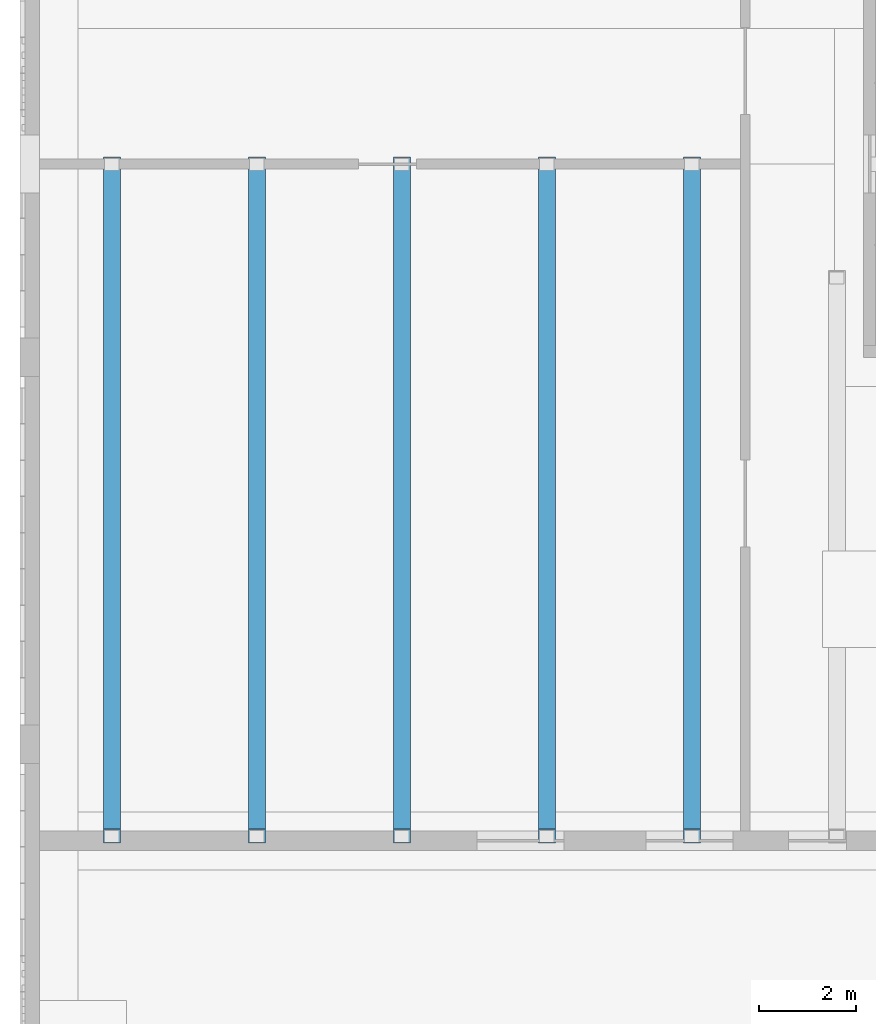
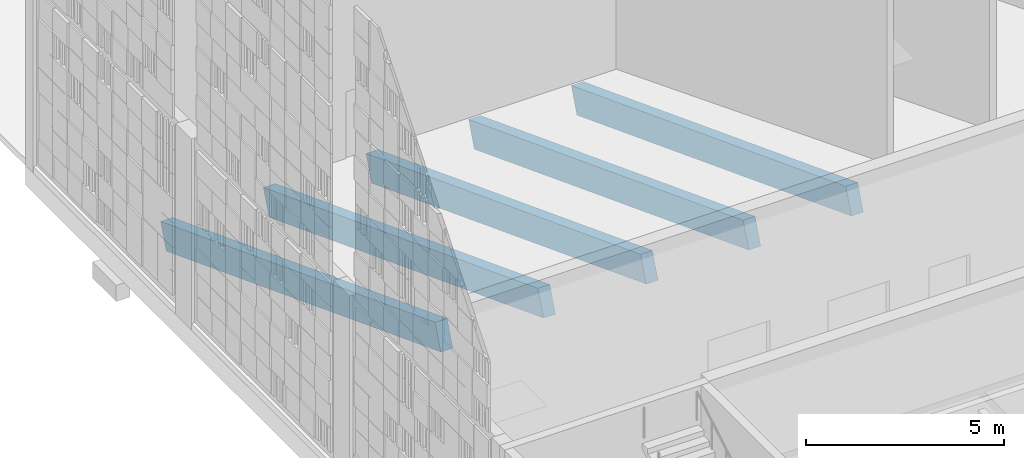
# One storey, part 15 of 125: 5 beams.
"""IFC4 building model written with IfcOpenShell, lengths in metres."""

from ifc_helpers import new_model, si_unit, direction, frame, origin, origin_2d, place, context, subcontext, project, spatial, rectangle, extrude, material, material_profile, profile_set, type_object, element, save


model = new_model("IFC4")

# Units and contexts
model_context = context("Model", 3, precision=1e-05, world=origin(), true_north=direction((0.0, 1.0)))
body_context = subcontext(model_context, "Body", "Model", "MODEL_VIEW")
ifc_project = project(units=[si_unit("LENGTHUNIT", "METRE"), si_unit("AREAUNIT", "SQUARE_METRE"), si_unit("VOLUMEUNIT", "CUBIC_METRE"), si_unit("PLANEANGLEUNIT", "RADIAN"), si_unit("MASSUNIT", "GRAM", prefix="KILO")], contexts=[model_context])

# Site, building, storey
site_placement = place(None, origin())
site = spatial("IfcSite", under=ifc_project, at=site_placement, CompositionType="ELEMENT")
building_placement = place(site_placement, origin())
building = spatial("IfcBuilding", under=site, at=building_placement, Name="Sun Court Science Centre", CompositionType="ELEMENT")
storey_placement = place(building_placement, origin())
storey = spatial("IfcBuildingStorey", under=building, at=storey_placement, Name="L00", CompositionType="ELEMENT", Elevation=0.0)

# Beams
ifc_material = material(Name="Concrete C25/30", Category="concrete")
ifc_material_profile = material_profile(ifc_material, rectangle(XDim=0.35009765625, YDim=0.800048828125, at=origin_2d()), Name="RC 350x800")
ifc_profile_set = profile_set([ifc_material_profile], Name="Concrete C25/30")
beam_type = type_object("IfcBeamType", Name="RC girder 350x800", PredefinedType="BEAM", material=ifc_profile_set)
for number, where, z_axis, x_axis, name in (
    (1, (1.89990234375, 54.10009765625, 4.73828125), (0.0, 0.934144205635, -0.35689578742), (-1.0, 0.0, 0.0), "Raker beam 1"),
    (2, (4.89990234375, 54.10009765625, 4.73828125), (0.0, 0.934144205635, -0.35689578742), (-1.0, 0.0, 0.0), "Raker beam 2"),
    (3, (7.89990234375, 54.10009765625, 4.73828125), (0.0, 0.934144205635, -0.35689578742), (-1.0, 0.0, 0.0), "Raker beam 3"),
    (4, (10.89990234375, 54.10009765625, 4.73828125), (0.0, 0.934144205635, -0.35689578742), (-1.0, 0.0, 0.0), "Raker beam 4"),
    (5, (13.89990234375, 54.10009765625, 4.73828125), (0.0, 0.934144205635, -0.35689578742), (-1.0, 0.0, 0.0), "Raker beam 5"),
):
    element("IfcBeam", number, at=place(storey_placement, frame(where, z_axis=z_axis, x_axis=x_axis)), inside=storey, type_object=beam_type, Name=name, PredefinedType="BEAM", context=body_context, shape_type="SweptSolid", body=[
        extrude(rectangle(XDim=0.35009765625, YDim=0.800048828125, at=origin_2d()), origin(), (0.0, 0.0, 1.0), 14.8798828125),
    ])

save(model, "model.ifc")
